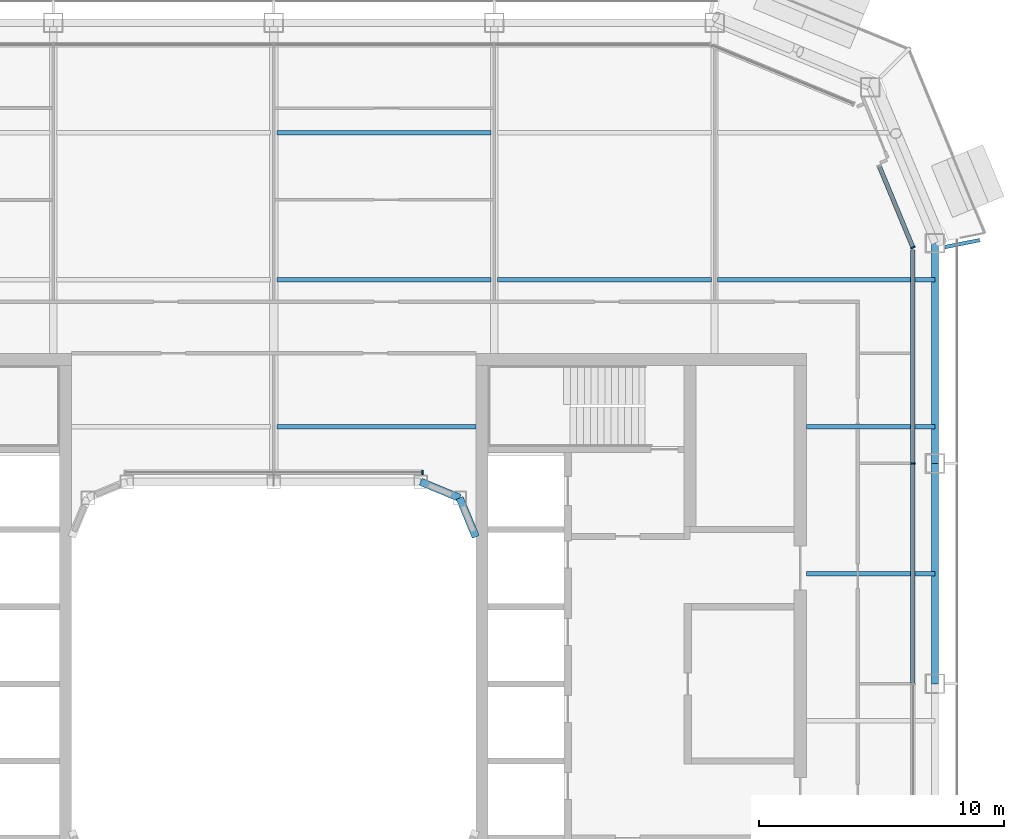
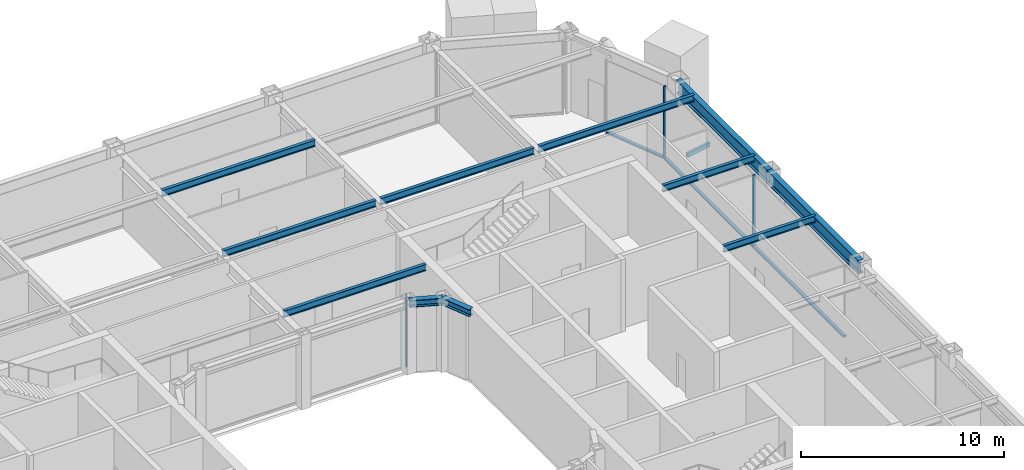
# One storey, part 9 of 23: 12 beams, 6 members, 3 elements without a shape of their own.
"""IFC4 building model written with IfcOpenShell, lengths in metres."""

from ifc_helpers import new_model, si_unit, direction, frame, origin, origin_2d, place, context, subcontext, project, spatial, rectangle, hollow_rectangle, i_section, extrude, material, layer, layer_set, material_profile, profile_set, type_object, element, aggregate, save


model = new_model("IFC4")

# Units and contexts
model_context = context("Model", 3, precision=1e-05, world=origin(), true_north=direction((0.0, 1.0)))
body_context = subcontext(model_context, "Body", "Model", "MODEL_VIEW")
ifc_project = project(units=[si_unit("LENGTHUNIT", "METRE"), si_unit("AREAUNIT", "SQUARE_METRE"), si_unit("VOLUMEUNIT", "CUBIC_METRE"), si_unit("PLANEANGLEUNIT", "RADIAN"), si_unit("MASSUNIT", "GRAM", prefix="KILO")], contexts=[model_context])

# Site, building, storey
site_placement = place(None, origin())
site = spatial("IfcSite", under=ifc_project, at=site_placement, CompositionType="ELEMENT")
building_placement = place(site_placement, origin())
building = spatial("IfcBuilding", under=site, at=building_placement, Name="Siwar Civic Tower", CompositionType="ELEMENT")
storey_placement = place(building_placement, frame((0.0, 0.0, 242.199951171875)))
storey = spatial("IfcBuildingStorey", under=building, at=storey_placement, Name="L52", CompositionType="ELEMENT", Elevation=242.199951171875)

# Beam
ifc_material_1 = material(Name="Steel S355", Category="steel")
ifc_material_profile_1 = material_profile(ifc_material_1, hollow_rectangle(XDim=0.14990234375, YDim=0.25, WallThickness=0.010009765625, at=origin_2d()), Name="RHS250x150x10")
ifc_profile_set_1 = profile_set([ifc_material_profile_1], Name="Steel S355")
beam_type_1 = type_object("IfcBeamType", Name="ENV-BALCONY ARM", PredefinedType="BEAM", material=ifc_profile_set_1)
beam_1_placement = place(storey_placement, frame((27.39990234375, 17.8349609375, -0.27490234375), z_axis=(0.980794792252, 0.195042496631, 0.0), x_axis=(-0.195042496631, 0.980794792252, 0.0)))
element("IfcBeam", 1, at=beam_1_placement, inside=storey, type_object=beam_type_1, Name="Balcony cantilever beam NE 1", PredefinedType="BEAM", context=body_context, shape_type="SweptSolid", body=[
    extrude(hollow_rectangle(XDim=0.14990234375, YDim=0.25, WallThickness=0.010009765625, at=origin_2d()), origin(), (0.0, 0.0, 1.0), 1.443359375),
])

# Curtain wall, member
ifc_material_2 = material(Name="Aluminium and glass", Category="aluminium")
ifc_layer_1 = layer(ifc_material_2, 0.179931640625)
ifc_layer_set_1 = layer_set([ifc_layer_1], Name="Aluminium and glass")
curtain_wall_type_1 = type_object("IfcCurtainWallType", Name="ENV-CW-C", PredefinedType="NOTDEFINED", material=ifc_layer_set_1)
curtain_wall_1_placement = place(storey_placement, origin())
curtain_wall_1 = element("IfcCurtainWall", 2, at=curtain_wall_1_placement, inside=storey, type_object=curtain_wall_type_1, Name="Curtain wall C E", PredefinedType="NOTDEFINED")
ifc_material_3 = material(Name="Aluminium 6063-T6", Category="aluminium")
ifc_material_profile_2 = material_profile(ifc_material_3, rectangle(XDim=0.179931640625, YDim=0.06005859375, at=origin_2d()), Name="AL 180x60")
ifc_profile_set_2 = profile_set([ifc_material_profile_2], Name="Aluminium 6063-T6")
member_type_1 = type_object("IfcMemberType", Name="ENV-MULLION-C", PredefinedType="MULLION", material=ifc_profile_set_2)
member_1_placement = place(storey_placement, frame((26.10009765625, 9.0, 0.0), z_axis=(0.0, 0.0, 1.0), x_axis=(-1.0, 0.0, 0.0)))
member_1 = element("IfcMember", 3, at=member_1_placement, type_object=member_type_1, Name="Mullion C E 4", PredefinedType="MULLION", context=body_context, shape_type="SweptSolid", body=[
    extrude(rectangle(XDim=0.179931640625, YDim=0.06005859375, at=origin_2d()), origin(), (0.0, 0.0, 1.0), 4.35009765625),
])

ifc_material_4 = material(Name="Aluminium clad insulated panel", Category="aluminium")
ifc_layer_2 = layer(ifc_material_4, 0.179931640625)
ifc_layer_set_2 = layer_set([ifc_layer_2], Name="Aluminium clad insulated panel")
curtain_wall_type_2 = type_object("IfcCurtainWallType", Name="ENV-CW-CX", PredefinedType="NOTDEFINED", material=ifc_layer_set_2)
curtain_wall_2_placement = place(storey_placement, origin())
curtain_wall_2 = element("IfcCurtainWall", 4, at=curtain_wall_2_placement, inside=storey, type_object=curtain_wall_type_2, Name="Curtain wall C NE1", PredefinedType="NOTDEFINED")
member_2_placement = place(storey_placement, frame((26.10009765625, 17.821044921875, 0.0), z_axis=(0.0, 0.0, 1.0), x_axis=(-0.923879532511, -0.382683432365, 0.0)))
member_2 = element("IfcMember", 5, at=member_2_placement, type_object=member_type_1, Name="Mullion C NE1 1", PredefinedType="MULLION", context=body_context, shape_type="SweptSolid", body=[
    extrude(rectangle(XDim=0.179931640625, YDim=0.06005859375, at=origin_2d()), origin(), (0.0, 0.0, 1.0), 4.35009765625),
])

ifc_material_5 = material(Name="Aluminium and glass", Category="aluminium")
ifc_layer_3 = layer(ifc_material_5, 0.179931640625)
ifc_layer_set_3 = layer_set([ifc_layer_3], Name="Aluminium and glass")
curtain_wall_type_3 = type_object("IfcCurtainWallType", Name="ENV-CW-W", PredefinedType="NOTDEFINED", material=ifc_layer_set_3)
curtain_wall_3_placement = place(storey_placement, origin())
curtain_wall_3 = element("IfcCurtainWall", 6, at=curtain_wall_3_placement, inside=storey, type_object=curtain_wall_type_3, Name="Curtain wall W WN", PredefinedType="NOTDEFINED")
ifc_material_6 = material(Name="Aluminium 6063-T6", Category="aluminium")
ifc_material_profile_3 = material_profile(ifc_material_6, rectangle(XDim=0.179931640625, YDim=0.06005859375, at=origin_2d()), Name="AL 180x60")
ifc_profile_set_3 = profile_set([ifc_material_profile_3], Name="Aluminium 6063-T6")
member_type_2 = type_object("IfcMemberType", Name="ENV-MULLION-W", PredefinedType="MULLION", material=ifc_profile_set_3)
member_3_placement = place(storey_placement, frame((6.07666015625, 8.635009765625, 0.0), z_axis=(0.0, 0.0, 1.0), x_axis=(0.0, -1.0, 0.0)))
member_3 = element("IfcMember", 7, at=member_3_placement, type_object=member_type_2, Name="Mullion W WN 1", PredefinedType="MULLION", context=body_context, shape_type="SweptSolid", body=[
    extrude(rectangle(XDim=0.179931640625, YDim=0.06005859375, at=origin_2d()), origin(), (0.0, 0.0, 1.0), 4.35009765625),
])
aggregate(curtain_wall_3, [member_3])

# Member
ifc_material_7 = material(Name="Aluminium 6063-T6", Category="aluminium")
ifc_material_profile_4 = material_profile(ifc_material_7, rectangle(XDim=0.179931640625, YDim=0.10009765625, at=origin_2d()), Name="AL 180x100")
ifc_profile_set_4 = profile_set([ifc_material_profile_4], Name="Aluminium 6063-T6")
member_type_3 = type_object("IfcMemberType", Name="ENV-TRANSOM-C", PredefinedType="USERDEFINED", material=ifc_profile_set_4)
member_4_placement = place(storey_placement, frame((26.10009765625, 0.030029296875, 0.050048828125), z_axis=(0.0, 1.0, 0.0), x_axis=(-1.0, 0.0, 0.0)))
member_4 = element("IfcMember", 8, at=member_4_placement, type_object=member_type_3, Name="Transom C E 3", ObjectType="TRANSOM", PredefinedType="USERDEFINED", context=body_context, shape_type="SweptSolid", body=[
    extrude(rectangle(XDim=0.179931640625, YDim=0.10009765625, at=origin_2d()), origin(), (0.0, 0.0, 1.0), 8.93994140625),
])

member_5_placement = place(storey_placement, frame((26.10009765625, 9.030029296875, 0.050048828125), z_axis=(0.0, 1.0, 0.0), x_axis=(-1.0, 0.0, 0.0)))
member_5 = element("IfcMember", 9, at=member_5_placement, type_object=member_type_3, Name="Transom C E 4", ObjectType="TRANSOM", PredefinedType="USERDEFINED", context=body_context, shape_type="SweptSolid", body=[
    extrude(rectangle(XDim=0.179931640625, YDim=0.10009765625, at=origin_2d()), origin(), (0.0, 0.0, 1.0), 8.68603515625),
])

aggregate(curtain_wall_1, [member_1, member_4, member_5])

member_6_placement = place(storey_placement, frame((26.088623046875, 17.8486328125, 0.050048828125), z_axis=(-0.3827185099, 0.92386500214, 0.0), x_axis=(-0.92386500214, -0.3827185099, 0.0)))
member_6 = element("IfcMember", 10, at=member_6_placement, type_object=member_type_3, Name="Transom C NE1 1", ObjectType="TRANSOM", PredefinedType="USERDEFINED", context=body_context, shape_type="SweptSolid", body=[
    extrude(rectangle(XDim=0.179931640625, YDim=0.10009765625, at=origin_2d()), origin(), (0.0, 0.0, 1.0), 3.54736328125),
])

aggregate(curtain_wall_2, [member_2, member_6])

# Beams
ifc_material_8 = material(Name="Steel S355", Category="steel")
ifc_material_profile_5 = material_profile(ifc_material_8, i_section(OverallWidth=0.179931640625, OverallDepth=0.39990234375, WebThickness=0.008544921875, FlangeThickness=0.013427734375, FilletRadius=0.02099609375, at=origin_2d()), Name="IPE400")
ifc_profile_set_5 = profile_set([ifc_material_profile_5], Name="Steel S355")
beam_type_2 = type_object("IfcBeamType", Name="STR-FB-IPE400", PredefinedType="JOIST", material=ifc_profile_set_5)
beam_2_placement = place(storey_placement, frame((21.75, 4.5, 4.150146484375), z_axis=(1.0, 0.0, 0.0), x_axis=(0.0, 1.0, 0.0)))
element("IfcBeam", 11, at=beam_2_placement, inside=storey, type_object=beam_type_2, Name="L52/bm/F026", PredefinedType="JOIST", context=body_context, shape_type="SweptSolid", body=[
    extrude(i_section(OverallWidth=0.179931640625, OverallDepth=0.39990234375, WebThickness=0.008544921875, FlangeThickness=0.013427734375, FilletRadius=0.02099609375, at=origin_2d()), origin(), (0.0, 0.0, 1.0), 5.25),
])
beam_3_placement = place(storey_placement, frame((0.1298828125, 10.5, 4.150146484375), z_axis=(1.0, 0.0, 0.0), x_axis=(0.0, 1.0, 0.0)))
element("IfcBeam", 12, at=beam_3_placement, inside=storey, type_object=beam_type_2, Name="L52/bm/F029", PredefinedType="JOIST", context=body_context, shape_type="SweptSolid", body=[
    extrude(i_section(OverallWidth=0.179931640625, OverallDepth=0.39990234375, WebThickness=0.008544921875, FlangeThickness=0.013427734375, FilletRadius=0.02099609375, at=origin_2d()), origin(), (0.0, 0.0, 1.0), 8.1201171875),
])
beam_4_placement = place(storey_placement, frame((21.75, 10.5, 4.150146484375), z_axis=(1.0, 0.0, 0.0), x_axis=(0.0, 1.0, 0.0)))
element("IfcBeam", 13, at=beam_4_placement, inside=storey, type_object=beam_type_2, Name="L52/bm/F030", PredefinedType="JOIST", context=body_context, shape_type="SweptSolid", body=[
    extrude(i_section(OverallWidth=0.179931640625, OverallDepth=0.39990234375, WebThickness=0.008544921875, FlangeThickness=0.013427734375, FilletRadius=0.02099609375, at=origin_2d()), origin(), (0.0, 0.0, 1.0), 5.25),
])
for number, where, z_axis, x_axis, name in (
    (14, (0.1298828125, 16.5, 4.150146484375), (1.0, 0.0, 0.0), (0.0, 1.0, 0.0), "L52/bm/F034"),
    (15, (9.1298828125, 16.5, 4.150146484375), (1.0, 0.0, 0.0), (0.0, 1.0, 0.0), "L52/bm/F035"),
):
    element("IfcBeam", number, at=place(storey_placement, frame(where, z_axis=z_axis, x_axis=x_axis)), inside=storey, type_object=beam_type_2, Name=name, PredefinedType="JOIST", context=body_context, shape_type="SweptSolid", body=[
        extrude(i_section(OverallWidth=0.179931640625, OverallDepth=0.39990234375, WebThickness=0.008544921875, FlangeThickness=0.013427734375, FilletRadius=0.02099609375, at=origin_2d()), origin(), (0.0, 0.0, 1.0), 8.740234375),
    ])
beam_5_placement = place(storey_placement, frame((18.1298828125, 16.5, 4.150146484375), z_axis=(1.0, 0.0, 0.0), x_axis=(0.0, 1.0, 0.0)))
element("IfcBeam", 16, at=beam_5_placement, inside=storey, type_object=beam_type_2, Name="L52/bm/F036", PredefinedType="JOIST", context=body_context, shape_type="SweptSolid", body=[
    extrude(i_section(OverallWidth=0.179931640625, OverallDepth=0.39990234375, WebThickness=0.008544921875, FlangeThickness=0.013427734375, FilletRadius=0.02099609375, at=origin_2d()), origin(), (0.0, 0.0, 1.0), 8.8701171875),
])
beam_6_placement = place(storey_placement, frame((0.1298828125, 22.5, 4.150146484375), z_axis=(1.0, 0.0, 0.0), x_axis=(0.0, 1.0, 0.0)))
element("IfcBeam", 17, at=beam_6_placement, inside=storey, type_object=beam_type_2, Name="L52/bm/F040", PredefinedType="JOIST", context=body_context, shape_type="SweptSolid", body=[
    extrude(i_section(OverallWidth=0.179931640625, OverallDepth=0.39990234375, WebThickness=0.008544921875, FlangeThickness=0.013427734375, FilletRadius=0.02099609375, at=origin_2d()), origin(), (0.0, 0.0, 1.0), 8.740234375),
])
ifc_material_9 = material(Name="Steel S355", Category="steel")
ifc_material_profile_6 = material_profile(ifc_material_9, i_section(OverallWidth=0.306884765625, OverallDepth=0.431884765625, WebThickness=0.02099609375, FlangeThickness=0.0400390625, FilletRadius=0.027099609375, at=origin_2d()), Name="HEM400")
ifc_profile_set_6 = profile_set([ifc_material_profile_6], Name="Steel S355")
beam_type_3 = type_object("IfcBeamType", Name="STR-RB-HEM400", PredefinedType="BEAM", material=ifc_profile_set_6)
for number, where, z_axis, x_axis, name in (
    (18, (6.0, 8.25, 4.134033203125), (0.923901072997, -0.382631424892, 0.0), (0.382631424892, 0.923901072997, 0.0), "L52/bm/RN3"),
    (19, (7.591064453125, 7.591064453125, 4.134033203125), (0.382631424892, -0.923901072997, 0.0), (0.923901072997, 0.382631424892, 0.0), "L52/bm/RNEE"),
):
    element("IfcBeam", number, at=place(storey_placement, frame(where, z_axis=z_axis, x_axis=x_axis)), inside=storey, type_object=beam_type_3, Name=name, PredefinedType="BEAM", context=body_context, shape_type="SweptSolid", body=[
        extrude(i_section(OverallWidth=0.306884765625, OverallDepth=0.431884765625, WebThickness=0.02099609375, FlangeThickness=0.0400390625, FilletRadius=0.027099609375, at=origin_2d()), origin(), (0.0, 0.0, 1.0), 1.72216796875),
    ])
ifc_material_10 = material(Name="Steel S355", Category="steel")
ifc_material_profile_7 = material_profile(ifc_material_10, i_section(OverallWidth=0.300048828125, OverallDepth=0.800048828125, WebThickness=0.017578125, FlangeThickness=0.032958984375, FilletRadius=0.030029296875, at=origin_2d()), Name="HEB800")
ifc_profile_set_7 = profile_set([ifc_material_profile_7], Name="Steel S355")
beam_type_4 = type_object("IfcBeamType", Name="STR-SB-HEB800", PredefinedType="BEAM", material=ifc_profile_set_7)
for number, where, z_axis, x_axis, name in (
    (20, (27.0, 0.0, 3.949951171875), (0.0, 1.0, 0.0), (-1.0, 0.0, 0.0), "L52/bm/SE-2"),
    (21, (27.0, 9.0, 3.949951171875), (0.0, 1.0, 0.0), (-1.0, 0.0, 0.0), "L52/bm/SE-3"),
):
    element("IfcBeam", number, at=place(storey_placement, frame(where, z_axis=z_axis, x_axis=x_axis)), inside=storey, type_object=beam_type_4, Name=name, PredefinedType="BEAM", context=body_context, shape_type="SweptSolid", body=[
        extrude(i_section(OverallWidth=0.300048828125, OverallDepth=0.800048828125, WebThickness=0.017578125, FlangeThickness=0.032958984375, FilletRadius=0.030029296875, at=origin_2d()), origin(), (0.0, 0.0, 1.0), 9.0),
    ])

save(model, "model.ifc")
